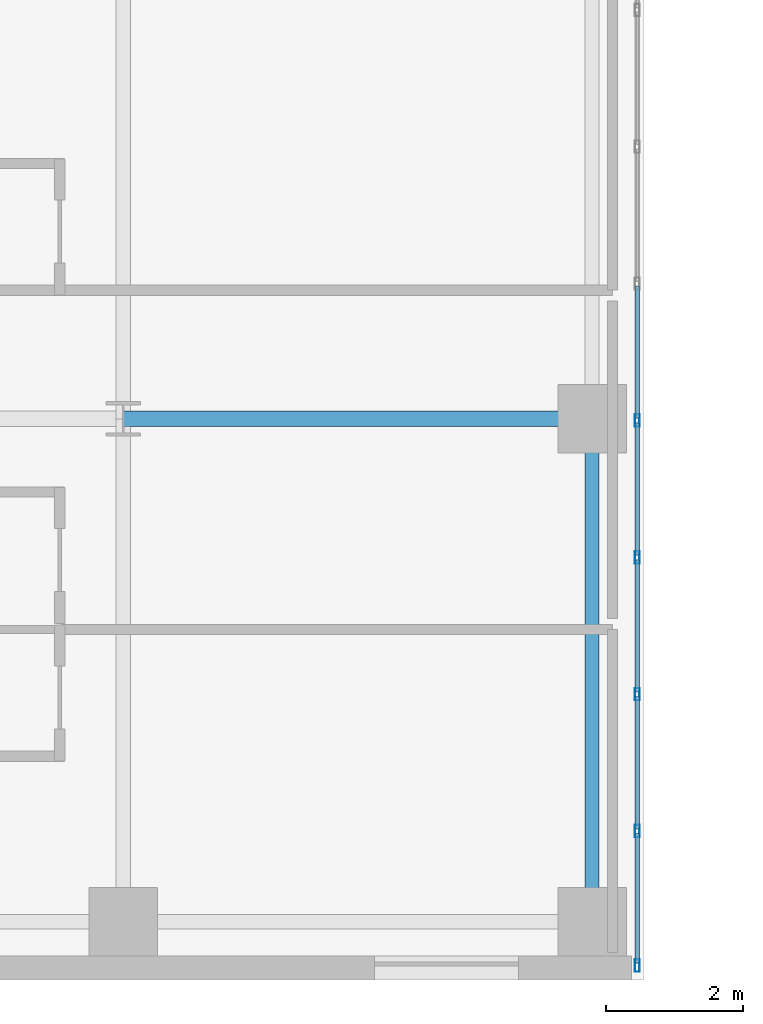
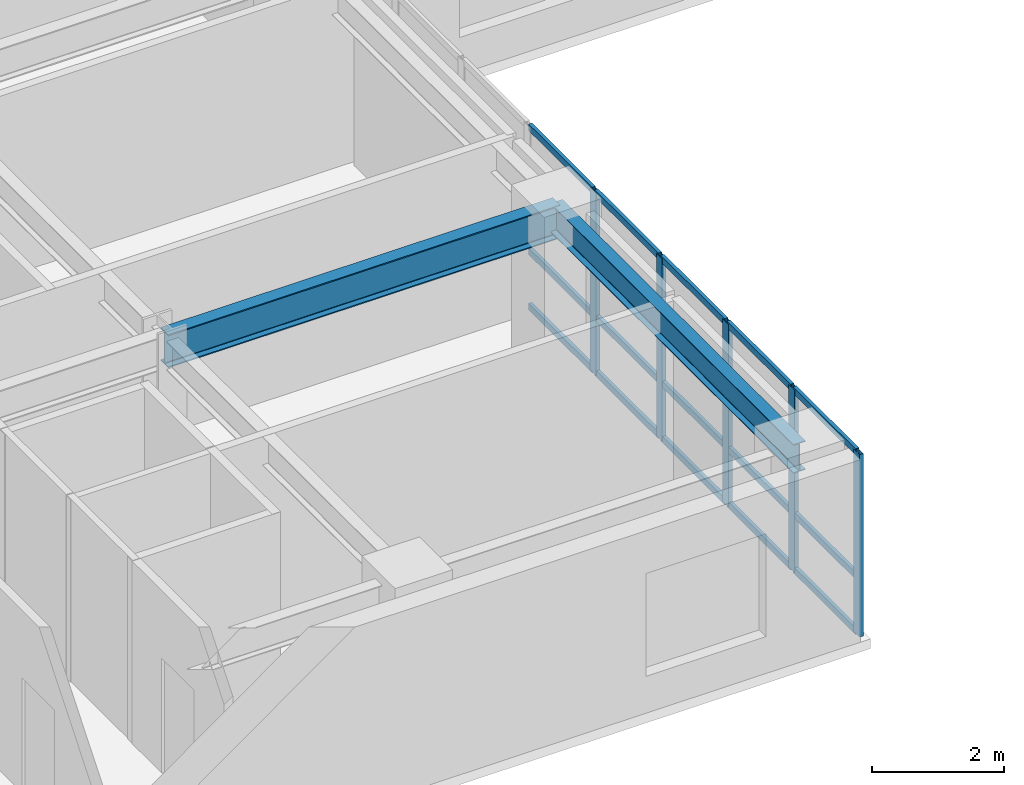
# One storey, part 2 of 17: 20 members, 2 beams, 1 element without a shape of its own.
"""IFC4 building model written with IfcOpenShell, lengths in metres."""

from ifc_helpers import new_model, si_unit, direction, frame, origin, origin_2d, place, context, subcontext, project, spatial, hollow_rectangle, i_section, extrude, source, transform, mapped, material, layer, layer_set, material_profile, profile_set, type_object, type_shapes, element, aggregate, save


model = new_model("IFC4")

# Units and contexts
model_context = context("Model", 3, precision=1e-05, world=origin(), true_north=direction((0.0, 1.0)))
body_context = subcontext(model_context, "Body", "Model", "MODEL_VIEW")
ifc_project = project(units=[si_unit("LENGTHUNIT", "METRE"), si_unit("AREAUNIT", "SQUARE_METRE"), si_unit("VOLUMEUNIT", "CUBIC_METRE"), si_unit("PLANEANGLEUNIT", "RADIAN"), si_unit("MASSUNIT", "GRAM", prefix="KILO")], contexts=[model_context])

# Site, building, storey
site_placement = place(None, origin())
site = spatial("IfcSite", under=ifc_project, at=site_placement, CompositionType="ELEMENT")
building_placement = place(site_placement, origin())
building = spatial("IfcBuilding", under=site, at=building_placement, Name="Tolvann Quenvar Hotel", CompositionType="ELEMENT")
storey_placement = place(building_placement, frame((0.0, 0.0, 42.64990234375)))
storey = spatial("IfcBuildingStorey", under=building, at=storey_placement, Name="L09", CompositionType="ELEMENT", Elevation=42.64990234375)

# Beams
ifc_material_1 = material(Name="Steel Grade 350", Category="steel")
ifc_material_profile_1 = material_profile(ifc_material_1, i_section(OverallWidth=0.22900390625, OverallDepth=0.612060546875, WebThickness=0.011962890625, FlangeThickness=0.01953125, FilletRadius=0.013916015625, at=origin_2d()), Name="610UB125")
ifc_profile_set_1 = profile_set([ifc_material_profile_1], Name="Steel Grade 350")
beam_type_1 = type_object("IfcBeamType", Name="BM_GIRD_610UB125", PredefinedType="BEAM", material=ifc_profile_set_1)
shared_shape_1 = source(origin(), body_context, "Body", "SweptSolid", [
    extrude(i_section(OverallWidth=0.22900390625, OverallDepth=0.612060546875, WebThickness=0.011962890625, FlangeThickness=0.01953125, FilletRadius=0.013916015625, at=origin_2d()), origin(), (0.0, 0.0, 1.0), 6.85009765625),
])
type_shapes(beam_type_1, [shared_shape_1])
beam_1_placement = place(storey_placement, frame((15.199951171875, 8.199951171875, 3.064208984375), z_axis=(1.0, 0.0, 0.0), x_axis=(0.0, 1.0, 0.0)))
element("IfcBeam", 1, at=beam_1_placement, inside=storey, type_object=beam_type_1, Name="BM-L09-EW-3-D3-E3", PredefinedType="BEAM", context=body_context, shape_type="MappedRepresentation", body=[
    mapped(shared_shape_1, transform((0.0, 0.0, 0.0), x_axis=(1.0, 0.0, 0.0), y_axis=(0.0, 1.0, 0.0), z_axis=(0.0, 0.0, 1.0), scale=1.0)),
])
ifc_material_profile_2 = material_profile(ifc_material_1, i_section(OverallWidth=0.208984375, OverallDepth=0.532958984375, WebThickness=0.01025390625, FlangeThickness=0.015625, FilletRadius=0.013916015625, at=origin_2d()), Name="530UB92")
ifc_profile_set_2 = profile_set([ifc_material_profile_2], Name="Steel Grade 350")
beam_type_2 = type_object("IfcBeamType", Name="BM_GIRD_530UB92", PredefinedType="BEAM", material=ifc_profile_set_2)
shared_shape_2 = source(origin(), body_context, "Body", "SweptSolid", [
    extrude(i_section(OverallWidth=0.208984375, OverallDepth=0.532958984375, WebThickness=0.01025390625, FlangeThickness=0.015625, FilletRadius=0.013916015625, at=origin_2d()), origin(), (0.0, 0.0, 1.0), 7.349853515625),
])
type_shapes(beam_type_2, [shared_shape_2])
beam_2_placement = place(storey_placement, frame((22.050048828125, 0.85009765625, 3.103515625), z_axis=(0.0, 1.0, 0.0), x_axis=(-1.0, 0.0, 0.0)))
element("IfcBeam", 2, at=beam_2_placement, inside=storey, type_object=beam_type_2, Name="BM-L09-NS-E2-E3", PredefinedType="BEAM", context=body_context, shape_type="MappedRepresentation", body=[
    mapped(shared_shape_2, transform((0.0, 0.0, 0.0), x_axis=(1.0, 0.0, 0.0), y_axis=(0.0, 1.0, 0.0), z_axis=(0.0, 0.0, 1.0), scale=1.0)),
])

# Curtain wall, members
ifc_material_2 = material(Name="Thermally broken anodised architectural aluminium 6063-T6 and laminated low-E glass", Category="aluminium")
ifc_layer = layer(ifc_material_2, 0.179931640625)
ifc_layer_set = layer_set([ifc_layer], Name="Thermally broken anodised architectural aluminium 6063-T6 and laminated low-E glass")
curtain_wall_type = type_object("IfcCurtainWallType", Name="CW_SYS_SLOT_03", PredefinedType="USERDEFINED", material=ifc_layer_set)
curtain_wall_placement = place(storey_placement, origin())
curtain_wall = element("IfcCurtainWall", 3, at=curtain_wall_placement, inside=storey, type_object=curtain_wall_type, Name="Curtain Wall CW-SLOT-03 (CWR-L09-E05)", ObjectType="UNITISED CURTAIN WALL", PredefinedType="USERDEFINED")
ifc_material_3 = material(Name="Anodised architectural aluminium 6063-T6 framing", Category="aluminium")
ifc_material_profile_3 = material_profile(ifc_material_3, hollow_rectangle(XDim=0.070068359375, YDim=0.179931640625, WallThickness=0.00390625, at=origin_2d()), Name="180x70x4RHS")
ifc_profile_set_3 = profile_set([ifc_material_profile_3], Name="Anodised architectural aluminium 6063-T6 framing")
member_type_1 = type_object("IfcMemberType", Name="CW_MULL_180x70", PredefinedType="MULLION", material=ifc_profile_set_3)
shared_shape_3 = source(origin(), body_context, "Body", "SweptSolid", [
    extrude(hollow_rectangle(XDim=0.070068359375, YDim=0.179931640625, WallThickness=0.00390625, at=origin_2d()), origin(), (0.0, 0.0, 1.0), 3.3701171875),
])
type_shapes(member_type_1, [shared_shape_3])
member_1_placement = place(storey_placement, frame((22.7099609375, 0.2099609375, 0.0), z_axis=(0.0, 0.0, 1.0), x_axis=(-1.0, 0.0, 0.0)))
member_1 = element("IfcMember", 4, at=member_1_placement, type_object=member_type_1, Name="CW-SLOT-03 mullion 1", PredefinedType="MULLION", context=body_context, shape_type="MappedRepresentation", body=[
    mapped(shared_shape_3, transform((0.0, 0.0, 0.0), x_axis=(1.0, 0.0, 0.0), y_axis=(0.0, 1.0, 0.0), z_axis=(0.0, 0.0, 1.0), scale=1.0)),
])
member_2_placement = place(storey_placement, frame((22.7099609375, 2.175048828125, 0.0), z_axis=(0.0, 0.0, 1.0), x_axis=(-1.0, 0.0, 0.0)))
member_2 = element("IfcMember", 5, at=member_2_placement, type_object=member_type_1, Name="CW-SLOT-03 mullion 2", PredefinedType="MULLION", context=body_context, shape_type="MappedRepresentation", body=[
    mapped(shared_shape_3, transform((0.0, 0.0, 0.0), x_axis=(1.0, 0.0, 0.0), y_axis=(0.0, 1.0, 0.0), z_axis=(0.0, 0.0, 1.0), scale=1.0)),
])
member_3_placement = place(storey_placement, frame((22.7099609375, 4.175048828125, 0.0), z_axis=(0.0, 0.0, 1.0), x_axis=(-1.0, 0.0, 0.0)))
member_3 = element("IfcMember", 6, at=member_3_placement, type_object=member_type_1, Name="CW-SLOT-03 mullion 3", PredefinedType="MULLION", context=body_context, shape_type="MappedRepresentation", body=[
    mapped(shared_shape_3, transform((0.0, 0.0, 0.0), x_axis=(1.0, 0.0, 0.0), y_axis=(0.0, 1.0, 0.0), z_axis=(0.0, 0.0, 1.0), scale=1.0)),
])
member_4_placement = place(storey_placement, frame((22.7099609375, 6.175048828125, 0.0), z_axis=(0.0, 0.0, 1.0), x_axis=(-1.0, 0.0, 0.0)))
member_4 = element("IfcMember", 7, at=member_4_placement, type_object=member_type_1, Name="CW-SLOT-03 mullion 4", PredefinedType="MULLION", context=body_context, shape_type="MappedRepresentation", body=[
    mapped(shared_shape_3, transform((0.0, 0.0, 0.0), x_axis=(1.0, 0.0, 0.0), y_axis=(0.0, 1.0, 0.0), z_axis=(0.0, 0.0, 1.0), scale=1.0)),
])
member_5_placement = place(storey_placement, frame((22.7099609375, 8.175048828125, 0.0), z_axis=(0.0, 0.0, 1.0), x_axis=(-1.0, 0.0, 0.0)))
member_5 = element("IfcMember", 8, at=member_5_placement, type_object=member_type_1, Name="CW-SLOT-03 mullion 5", PredefinedType="MULLION", context=body_context, shape_type="MappedRepresentation", body=[
    mapped(shared_shape_3, transform((0.0, 0.0, 0.0), x_axis=(1.0, 0.0, 0.0), y_axis=(0.0, 1.0, 0.0), z_axis=(0.0, 0.0, 1.0), scale=1.0)),
])
ifc_material_profile_4 = material_profile(ifc_material_3, hollow_rectangle(XDim=0.06005859375, YDim=0.1201171875, WallThickness=0.00341796875, at=origin_2d()), Name="120x60x3.5RHS")
ifc_profile_set_4 = profile_set([ifc_material_profile_4], Name="Anodised architectural aluminium 6063-T6 framing")
member_type_2 = type_object("IfcMemberType", Name="CW_TRAN_120x60", PredefinedType="USERDEFINED", material=ifc_profile_set_4)
shared_shape_4 = source(origin(), body_context, "Body", "SweptSolid", [
    extrude(hollow_rectangle(XDim=0.06005859375, YDim=0.1201171875, WallThickness=0.00341796875, at=origin_2d()), origin(), (0.0, 0.0, 1.0), 1.894775390625),
])
member_6_placement = place(storey_placement, frame((22.7099609375, 0.2451171875, 0.030029296875), z_axis=(0.0, 1.0, 0.0), x_axis=(-1.0, 0.0, 0.0)))
member_6 = element("IfcMember", 9, at=member_6_placement, type_object=member_type_2, Name="CW-SLOT-03 transom 1.1", ObjectType="TRANSOM", PredefinedType="USERDEFINED", context=body_context, shape_type="MappedRepresentation", body=[
    mapped(shared_shape_4, transform((0.0, 0.0, 0.0), x_axis=(1.0, 0.0, 0.0), y_axis=(0.0, 1.0, 0.0), z_axis=(0.0, 0.0, 1.0), scale=1.0)),
])
member_7_placement = place(storey_placement, frame((22.7099609375, 0.2451171875, 1.050048828125), z_axis=(0.0, 1.0, 0.0), x_axis=(-1.0, 0.0, 0.0)))
member_7 = element("IfcMember", 10, at=member_7_placement, type_object=member_type_2, Name="CW-SLOT-03 transom 1.2", ObjectType="TRANSOM", PredefinedType="USERDEFINED", context=body_context, shape_type="MappedRepresentation", body=[
    mapped(shared_shape_4, transform((0.0, 0.0, 0.0), x_axis=(1.0, 0.0, 0.0), y_axis=(0.0, 1.0, 0.0), z_axis=(0.0, 0.0, 1.0), scale=1.0)),
])
member_8_placement = place(storey_placement, frame((22.7099609375, 0.2451171875, 3.340087890625), z_axis=(0.0, 1.0, 0.0), x_axis=(-1.0, 0.0, 0.0)))
member_8 = element("IfcMember", 11, at=member_8_placement, type_object=member_type_2, Name="CW-SLOT-03 transom 1.3", ObjectType="TRANSOM", PredefinedType="USERDEFINED", context=body_context, shape_type="MappedRepresentation", body=[
    mapped(shared_shape_4, transform((0.0, 0.0, 0.0), x_axis=(1.0, 0.0, 0.0), y_axis=(0.0, 1.0, 0.0), z_axis=(0.0, 0.0, 1.0), scale=1.0)),
])
shared_shape_5 = source(origin(), body_context, "Body", "SweptSolid", [
    extrude(hollow_rectangle(XDim=0.06005859375, YDim=0.1201171875, WallThickness=0.00341796875, at=origin_2d()), origin(), (0.0, 0.0, 1.0), 1.929931640625),
])
type_shapes(member_type_2, [shared_shape_4, shared_shape_5])
member_9_placement = place(storey_placement, frame((22.7099609375, 2.2099609375, 0.030029296875), z_axis=(0.0, 1.0, 0.0), x_axis=(-1.0, 0.0, 0.0)))
member_9 = element("IfcMember", 12, at=member_9_placement, type_object=member_type_2, Name="CW-SLOT-03 transom 2.1", ObjectType="TRANSOM", PredefinedType="USERDEFINED", context=body_context, shape_type="MappedRepresentation", body=[
    mapped(shared_shape_5, transform((0.0, 0.0, 0.0), x_axis=(1.0, 0.0, 0.0), y_axis=(0.0, 1.0, 0.0), z_axis=(0.0, 0.0, 1.0), scale=1.0)),
])
member_10_placement = place(storey_placement, frame((22.7099609375, 2.2099609375, 1.050048828125), z_axis=(0.0, 1.0, 0.0), x_axis=(-1.0, 0.0, 0.0)))
member_10 = element("IfcMember", 13, at=member_10_placement, type_object=member_type_2, Name="CW-SLOT-03 transom 2.2", ObjectType="TRANSOM", PredefinedType="USERDEFINED", context=body_context, shape_type="MappedRepresentation", body=[
    mapped(shared_shape_5, transform((0.0, 0.0, 0.0), x_axis=(1.0, 0.0, 0.0), y_axis=(0.0, 1.0, 0.0), z_axis=(0.0, 0.0, 1.0), scale=1.0)),
])
member_11_placement = place(storey_placement, frame((22.7099609375, 2.2099609375, 3.340087890625), z_axis=(0.0, 1.0, 0.0), x_axis=(-1.0, 0.0, 0.0)))
member_11 = element("IfcMember", 14, at=member_11_placement, type_object=member_type_2, Name="CW-SLOT-03 transom 2.3", ObjectType="TRANSOM", PredefinedType="USERDEFINED", context=body_context, shape_type="MappedRepresentation", body=[
    mapped(shared_shape_5, transform((0.0, 0.0, 0.0), x_axis=(1.0, 0.0, 0.0), y_axis=(0.0, 1.0, 0.0), z_axis=(0.0, 0.0, 1.0), scale=1.0)),
])
member_12_placement = place(storey_placement, frame((22.7099609375, 4.2099609375, 0.030029296875), z_axis=(0.0, 1.0, 0.0), x_axis=(-1.0, 0.0, 0.0)))
member_12 = element("IfcMember", 15, at=member_12_placement, type_object=member_type_2, Name="CW-SLOT-03 transom 3.1", ObjectType="TRANSOM", PredefinedType="USERDEFINED", context=body_context, shape_type="MappedRepresentation", body=[
    mapped(shared_shape_5, transform((0.0, 0.0, 0.0), x_axis=(1.0, 0.0, 0.0), y_axis=(0.0, 1.0, 0.0), z_axis=(0.0, 0.0, 1.0), scale=1.0)),
])
member_13_placement = place(storey_placement, frame((22.7099609375, 4.2099609375, 1.050048828125), z_axis=(0.0, 1.0, 0.0), x_axis=(-1.0, 0.0, 0.0)))
member_13 = element("IfcMember", 16, at=member_13_placement, type_object=member_type_2, Name="CW-SLOT-03 transom 3.2", ObjectType="TRANSOM", PredefinedType="USERDEFINED", context=body_context, shape_type="MappedRepresentation", body=[
    mapped(shared_shape_5, transform((0.0, 0.0, 0.0), x_axis=(1.0, 0.0, 0.0), y_axis=(0.0, 1.0, 0.0), z_axis=(0.0, 0.0, 1.0), scale=1.0)),
])
member_14_placement = place(storey_placement, frame((22.7099609375, 4.2099609375, 3.340087890625), z_axis=(0.0, 1.0, 0.0), x_axis=(-1.0, 0.0, 0.0)))
member_14 = element("IfcMember", 17, at=member_14_placement, type_object=member_type_2, Name="CW-SLOT-03 transom 3.3", ObjectType="TRANSOM", PredefinedType="USERDEFINED", context=body_context, shape_type="MappedRepresentation", body=[
    mapped(shared_shape_5, transform((0.0, 0.0, 0.0), x_axis=(1.0, 0.0, 0.0), y_axis=(0.0, 1.0, 0.0), z_axis=(0.0, 0.0, 1.0), scale=1.0)),
])
member_15_placement = place(storey_placement, frame((22.7099609375, 6.2099609375, 0.030029296875), z_axis=(0.0, 1.0, 0.0), x_axis=(-1.0, 0.0, 0.0)))
member_15 = element("IfcMember", 18, at=member_15_placement, type_object=member_type_2, Name="CW-SLOT-03 transom 4.1", ObjectType="TRANSOM", PredefinedType="USERDEFINED", context=body_context, shape_type="MappedRepresentation", body=[
    mapped(shared_shape_5, transform((0.0, 0.0, 0.0), x_axis=(1.0, 0.0, 0.0), y_axis=(0.0, 1.0, 0.0), z_axis=(0.0, 0.0, 1.0), scale=1.0)),
])
member_16_placement = place(storey_placement, frame((22.7099609375, 6.2099609375, 1.050048828125), z_axis=(0.0, 1.0, 0.0), x_axis=(-1.0, 0.0, 0.0)))
member_16 = element("IfcMember", 19, at=member_16_placement, type_object=member_type_2, Name="CW-SLOT-03 transom 4.2", ObjectType="TRANSOM", PredefinedType="USERDEFINED", context=body_context, shape_type="MappedRepresentation", body=[
    mapped(shared_shape_5, transform((0.0, 0.0, 0.0), x_axis=(1.0, 0.0, 0.0), y_axis=(0.0, 1.0, 0.0), z_axis=(0.0, 0.0, 1.0), scale=1.0)),
])
member_17_placement = place(storey_placement, frame((22.7099609375, 6.2099609375, 3.340087890625), z_axis=(0.0, 1.0, 0.0), x_axis=(-1.0, 0.0, 0.0)))
member_17 = element("IfcMember", 20, at=member_17_placement, type_object=member_type_2, Name="CW-SLOT-03 transom 4.3", ObjectType="TRANSOM", PredefinedType="USERDEFINED", context=body_context, shape_type="MappedRepresentation", body=[
    mapped(shared_shape_5, transform((0.0, 0.0, 0.0), x_axis=(1.0, 0.0, 0.0), y_axis=(0.0, 1.0, 0.0), z_axis=(0.0, 0.0, 1.0), scale=1.0)),
])
member_18_placement = place(storey_placement, frame((22.7099609375, 8.2099609375, 0.030029296875), z_axis=(0.0, 1.0, 0.0), x_axis=(-1.0, 0.0, 0.0)))
member_18 = element("IfcMember", 21, at=member_18_placement, type_object=member_type_2, Name="CW-SLOT-03 transom 5.1", ObjectType="TRANSOM", PredefinedType="USERDEFINED", context=body_context, shape_type="MappedRepresentation", body=[
    mapped(shared_shape_5, transform((0.0, 0.0, 0.0), x_axis=(1.0, 0.0, 0.0), y_axis=(0.0, 1.0, 0.0), z_axis=(0.0, 0.0, 1.0), scale=1.0)),
])
member_19_placement = place(storey_placement, frame((22.7099609375, 8.2099609375, 1.050048828125), z_axis=(0.0, 1.0, 0.0), x_axis=(-1.0, 0.0, 0.0)))
member_19 = element("IfcMember", 22, at=member_19_placement, type_object=member_type_2, Name="CW-SLOT-03 transom 5.2", ObjectType="TRANSOM", PredefinedType="USERDEFINED", context=body_context, shape_type="MappedRepresentation", body=[
    mapped(shared_shape_5, transform((0.0, 0.0, 0.0), x_axis=(1.0, 0.0, 0.0), y_axis=(0.0, 1.0, 0.0), z_axis=(0.0, 0.0, 1.0), scale=1.0)),
])
member_20_placement = place(storey_placement, frame((22.7099609375, 8.2099609375, 3.340087890625), z_axis=(0.0, 1.0, 0.0), x_axis=(-1.0, 0.0, 0.0)))
member_20 = element("IfcMember", 23, at=member_20_placement, type_object=member_type_2, Name="CW-SLOT-03 transom 5.3", ObjectType="TRANSOM", PredefinedType="USERDEFINED", context=body_context, shape_type="MappedRepresentation", body=[
    mapped(shared_shape_5, transform((0.0, 0.0, 0.0), x_axis=(1.0, 0.0, 0.0), y_axis=(0.0, 1.0, 0.0), z_axis=(0.0, 0.0, 1.0), scale=1.0)),
])
aggregate(curtain_wall, [member_1, member_2, member_3, member_4, member_5, member_6, member_7, member_8, member_9, member_10, member_11, member_12, member_13, member_14, member_15, member_16, member_17, member_18, member_19, member_20])

save(model, "model.ifc")
